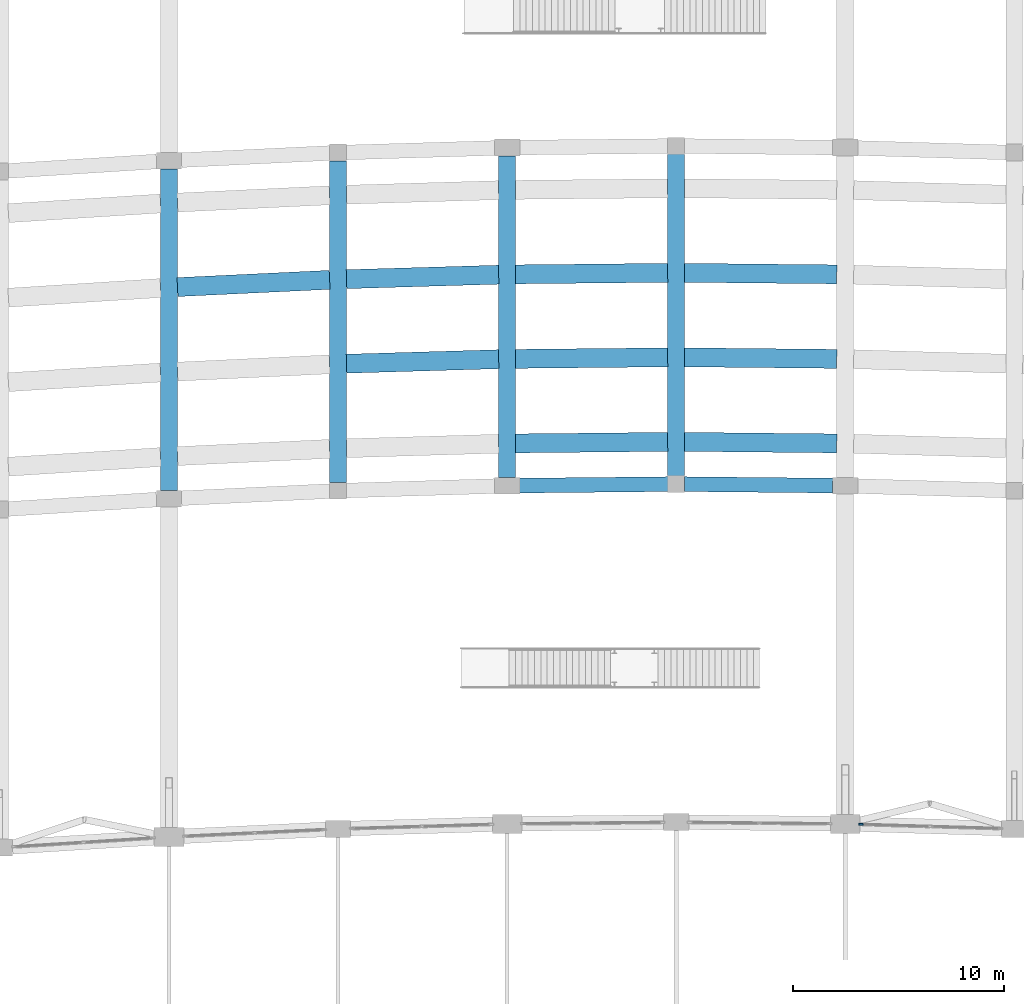
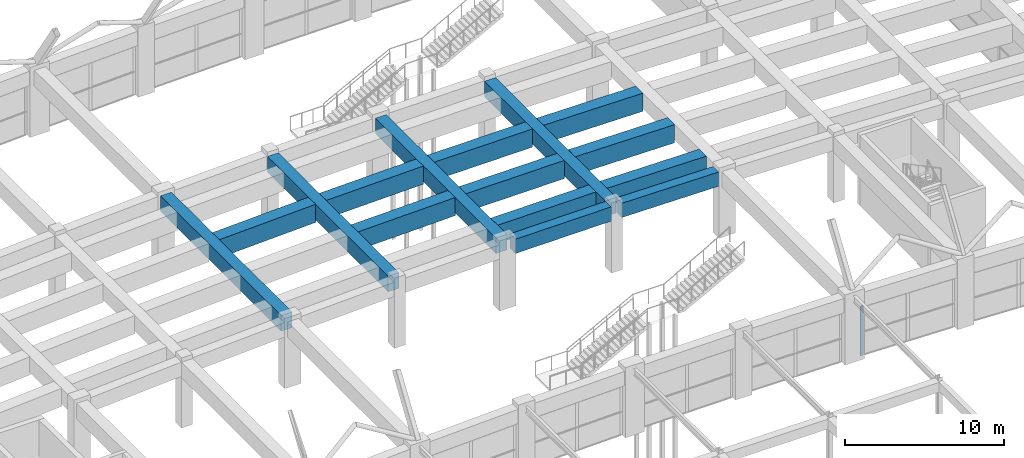
# One storey, part 26 of 69: 15 beams, 1 member, 1 element without a shape of its own.
"""IFC4 building model written with IfcOpenShell, lengths in metres."""

from ifc_helpers import new_model, si_unit, direction, frame, origin, origin_2d, place, context, subcontext, project, spatial, rectangle, extrude, material, material_profile, profile_set, type_object, element, aggregate, save


model = new_model("IFC4")

# Units and contexts
model_context = context("Model", 3, precision=1e-05, world=origin(), true_north=direction((0.0, 1.0)))
body_context = subcontext(model_context, "Body", "Model", "MODEL_VIEW")
ifc_project = project(units=[si_unit("LENGTHUNIT", "METRE"), si_unit("AREAUNIT", "SQUARE_METRE"), si_unit("VOLUMEUNIT", "CUBIC_METRE"), si_unit("PLANEANGLEUNIT", "RADIAN"), si_unit("MASSUNIT", "GRAM", prefix="KILO")], contexts=[model_context])

# Site, building, storey
site_placement = place(None, origin())
site = spatial("IfcSite", under=ifc_project, at=site_placement, CompositionType="ELEMENT")
building_placement = place(site_placement, origin())
building = spatial("IfcBuilding", under=site, at=building_placement, Name="Kenh Van Central Station", CompositionType="ELEMENT")
storey_placement = place(building_placement, frame((0.0, 0.0, 5.39990234375)))
storey = spatial("IfcBuildingStorey", under=building, at=storey_placement, Name="L01", CompositionType="ELEMENT", Elevation=5.39990234375)

# Beams
ifc_material_1 = material(Name="Concrete C40/50", Category="concrete")
ifc_material_profile_1 = material_profile(ifc_material_1, rectangle(XDim=0.699951171875, YDim=1.10009765625, at=origin_2d()), Name="RC 700x1100")
ifc_profile_set_1 = profile_set([ifc_material_profile_1], Name="Concrete C40/50")
beam_type_1 = type_object("IfcBeamType", Name="BM-RC-700x1100", PredefinedType="BEAM", material=ifc_profile_set_1)
for number, where, z_axis, x_axis, name in (
    (1, (80.590087890625, 83.125732421875, 4.530029296875), (0.999949843668, 0.010015495409, 0.0), (-0.010015495409, 0.999949843668, 0.0), "L01 viaduct girder 1400"),
    (2, (88.389892578125, 83.196044921875, 4.530029296875), (0.999949843668, -0.010015495409, 0.0), (0.010015495409, 0.999949843668, 0.0), "L01 viaduct girder 1401"),
):
    element("IfcBeam", number, at=place(storey_placement, frame(where, z_axis=z_axis, x_axis=x_axis)), inside=storey, type_object=beam_type_1, Name=name, PredefinedType="BEAM", context=body_context, shape_type="SweptSolid", body=[
        extrude(rectangle(XDim=0.699951171875, YDim=1.10009765625, at=origin_2d()), origin(), (0.0, 0.0, 1.0), 7.020263671875),
    ])
ifc_material_profile_2 = material_profile(ifc_material_1, rectangle(XDim=0.800048828125, YDim=1.199951171875, at=origin_2d()), Name="RC 800x1200")
ifc_profile_set_2 = profile_set([ifc_material_profile_2], Name="Concrete C40/50")
beam_type_2 = type_object("IfcBeamType", Name="BM-TRK-800x1200", PredefinedType="BEAM", material=ifc_profile_set_2)
for number, where, z_axis, x_axis, name in (
    (3, (64.0, 82.891845703125, 4.47998046875), (0.0, 1.0, 0.0), (-1.0, 0.0, 0.0), "L01 viaduct cross-girder 1449"),
    (4, (72.0, 83.273193359375, 4.47998046875), (0.0, 1.0, 0.0), (-1.0, 0.0, 0.0), "L01 viaduct cross-girder 1451"),
    (5, (80.0, 83.509765625, 4.47998046875), (0.0, 1.0, 0.0), (-1.0, 0.0, 0.0), "L01 viaduct cross-girder 1452"),
    (6, (88.0, 83.590087890625, 4.47998046875), (0.0, 1.0, 0.0), (-1.0, 0.0, 0.0), "L01 viaduct cross-girder 1453"),
):
    element("IfcBeam", number, at=place(storey_placement, frame(where, z_axis=z_axis, x_axis=x_axis)), inside=storey, type_object=beam_type_2, Name=name, PredefinedType="BEAM", context=body_context, shape_type="SweptSolid", body=[
        extrude(rectangle(XDim=0.800048828125, YDim=1.199951171875, at=origin_2d()), origin(), (0.0, 0.0, 1.0), 15.219970703125),
    ])
ifc_material_profile_3 = material_profile(ifc_material_1, rectangle(XDim=0.89990234375, YDim=1.39990234375, at=origin_2d()), Name="RC 900x1400")
ifc_profile_set_3 = profile_set([ifc_material_profile_3], Name="Concrete C40/50")
beam_type_3 = type_object("IfcBeamType", Name="BM-TRK-900x1400", PredefinedType="BEAM", material=ifc_profile_set_3)
for number, where, z_axis, x_axis, name in (
    (7, (80.39990234375, 85.123779296875, 4.380126953125), (0.999949636933, 0.010036114625, 0.0), (-0.010036114625, 0.999949636933, 0.0), "Track 1 trough girder 1481"),
    (8, (88.39990234375, 85.196044921875, 4.380126953125), (0.999949636933, -0.010036114625, 0.0), (0.010036114625, 0.999949636933, 0.0), "Track 1 trough girder 1482"),
):
    element("IfcBeam", number, at=place(storey_placement, frame(where, z_axis=z_axis, x_axis=x_axis)), inside=storey, type_object=beam_type_3, Name=name, PredefinedType="BEAM", context=body_context, shape_type="SweptSolid", body=[
        extrude(rectangle(XDim=0.89990234375, YDim=1.39990234375, at=origin_2d()), origin(), (0.0, 0.0, 1.0), 7.200439453125),
    ])
beam_1_placement = place(storey_placement, frame((72.39990234375, 88.89501953125, 4.380126953125), z_axis=(0.999563172588, 0.029554424471, 0.0), x_axis=(-0.029554424471, 0.999563172588, 0.0)))
element("IfcBeam", 9, at=beam_1_placement, inside=storey, type_object=beam_type_3, Name="Track 2 trough girder 1494", PredefinedType="BEAM", context=body_context, shape_type="SweptSolid", body=[
    extrude(rectangle(XDim=0.89990234375, YDim=1.39990234375, at=origin_2d()), origin(), (0.0, 0.0, 1.0), 7.203369140625),
])
for number, where, z_axis, x_axis, name in (
    (10, (80.39990234375, 89.123779296875, 4.380126953125), (0.999949636933, 0.010036114625, 0.0), (-0.010036114625, 0.999949636933, 0.0), "Track 2 trough girder 1495"),
    (11, (88.39990234375, 89.196044921875, 4.380126953125), (0.999949636933, -0.010036114625, 0.0), (0.010036114625, 0.999949636933, 0.0), "Track 2 trough girder 1496"),
):
    element("IfcBeam", number, at=place(storey_placement, frame(where, z_axis=z_axis, x_axis=x_axis)), inside=storey, type_object=beam_type_3, Name=name, PredefinedType="BEAM", context=body_context, shape_type="SweptSolid", body=[
        extrude(rectangle(XDim=0.89990234375, YDim=1.39990234375, at=origin_2d()), origin(), (0.0, 0.0, 1.0), 7.200439453125),
    ])
beam_2_placement = place(storey_placement, frame((64.399658203125, 92.52099609375, 4.380126953125), z_axis=(0.998867294729, 0.047582849023, 0.0), x_axis=(-0.047582849023, 0.998867294729, 0.0)))
element("IfcBeam", 12, at=beam_2_placement, inside=storey, type_object=beam_type_3, Name="Track 3 trough girder 1507", PredefinedType="BEAM", context=body_context, shape_type="SweptSolid", body=[
    extrude(rectangle(XDim=0.89990234375, YDim=1.39990234375, at=origin_2d()), origin(), (0.0, 0.0, 1.0), 7.208740234375),
])
beam_3_placement = place(storey_placement, frame((72.39990234375, 92.89501953125, 4.380126953125), z_axis=(0.999563172588, 0.029554424471, 0.0), x_axis=(-0.029554424471, 0.999563172588, 0.0)))
element("IfcBeam", 13, at=beam_3_placement, inside=storey, type_object=beam_type_3, Name="Track 3 trough girder 1508", PredefinedType="BEAM", context=body_context, shape_type="SweptSolid", body=[
    extrude(rectangle(XDim=0.89990234375, YDim=1.39990234375, at=origin_2d()), origin(), (0.0, 0.0, 1.0), 7.203369140625),
])
for number, where, z_axis, x_axis, name in (
    (14, (80.39990234375, 93.123779296875, 4.380126953125), (0.999949636933, 0.010036114625, 0.0), (-0.010036114625, 0.999949636933, 0.0), "Track 3 trough girder 1509"),
    (15, (88.39990234375, 93.196044921875, 4.380126953125), (0.999949636933, -0.010036114625, 0.0), (0.010036114625, 0.999949636933, 0.0), "Track 3 trough girder 1510"),
):
    element("IfcBeam", number, at=place(storey_placement, frame(where, z_axis=z_axis, x_axis=x_axis)), inside=storey, type_object=beam_type_3, Name=name, PredefinedType="BEAM", context=body_context, shape_type="SweptSolid", body=[
        extrude(rectangle(XDim=0.89990234375, YDim=1.39990234375, at=origin_2d()), origin(), (0.0, 0.0, 1.0), 7.200439453125),
    ])

# Curtain wall, member
ifc_material_2 = material(Name="Champagne anodised aluminium", Category="aluminium")
curtain_wall_type = type_object("IfcCurtainWallType", Name="CW-HALL-A", PredefinedType="NOTDEFINED", material=ifc_material_2)
curtain_wall_placement = place(storey_placement, origin())
curtain_wall = element("IfcCurtainWall", 16, at=curtain_wall_placement, inside=storey, type_object=curtain_wall_type, Name="L01 curtain wall 091", PredefinedType="NOTDEFINED")
ifc_material_profile_4 = material_profile(ifc_material_2, rectangle(XDim=0.080078125, YDim=0.219970703125, at=origin_2d()), Name="AL 80x220")
ifc_profile_set_4 = profile_set([ifc_material_profile_4], Name="Champagne anodised aluminium")
member_type = type_object("IfcMemberType", Name="CWM-80x220", PredefinedType="MULLION", material=ifc_profile_set_4)
member_placement = place(storey_placement, frame((96.752685546875, 67.097412109375, 0.0), z_axis=(0.0, 0.0, 1.0), x_axis=(0.029570645876, 0.999562692832, 0.0)))
member = element("IfcMember", 17, at=member_placement, type_object=member_type, Name="CW-01 mullion 1", PredefinedType="MULLION", context=body_context, shape_type="SweptSolid", body=[
    extrude(rectangle(XDim=0.080078125, YDim=0.219970703125, at=origin_2d()), origin(), (0.0, 0.0, 1.0), 3.800048828125),
])
aggregate(curtain_wall, [member])

save(model, "model.ifc")
